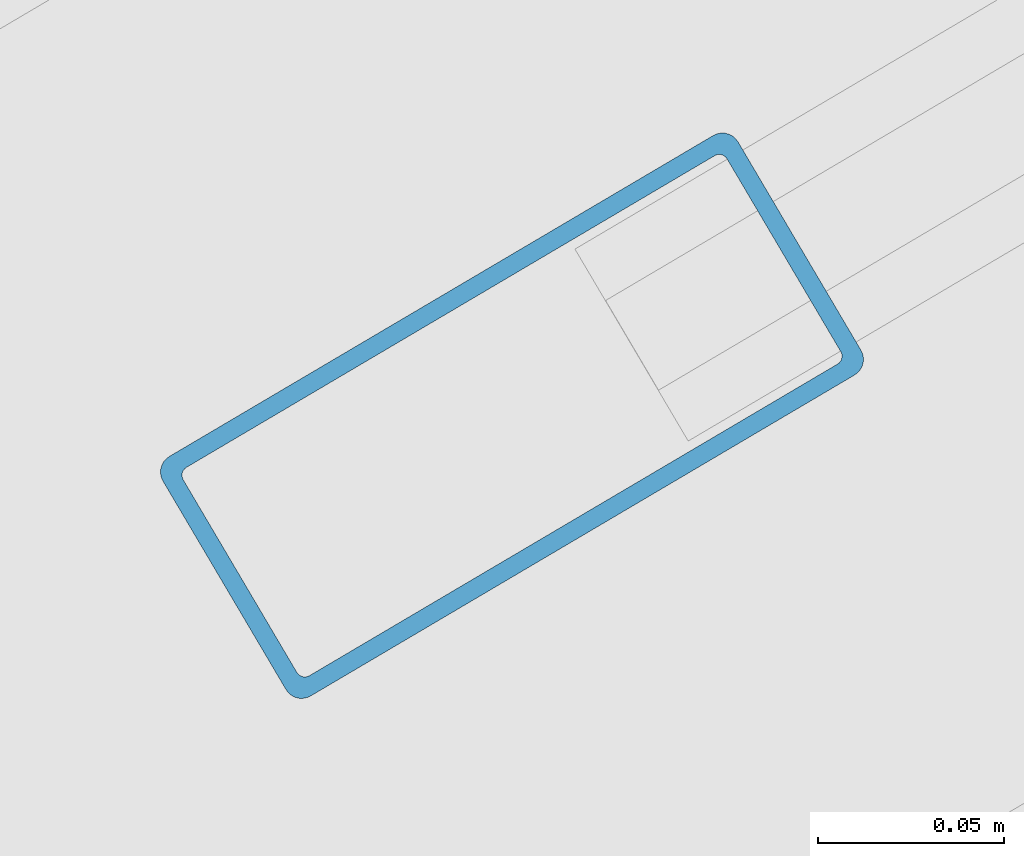
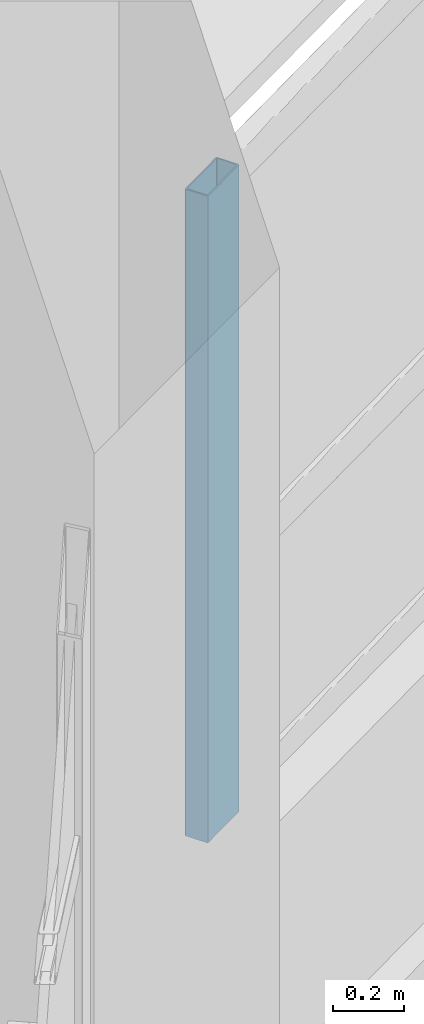
# One storey, part 63 of 121: 1 member, 1 element without a shape of its own.
"""IFC4 building model written with IfcOpenShell, lengths in metres."""

from ifc_helpers import new_model, si_unit, direction, frame, origin, origin_2d, place, context, subcontext, project, spatial, hollow_rectangle, extrude, material, layer, layer_set, material_profile, profile_set, type_object, element, aggregate, save


model = new_model("IFC4")

# Units and contexts
model_context = context("Model", 3, precision=1e-05, world=origin(), true_north=direction((0.0, 1.0)))
body_context = subcontext(model_context, "Body", "Model", "MODEL_VIEW")
ifc_project = project(units=[si_unit("LENGTHUNIT", "METRE"), si_unit("AREAUNIT", "SQUARE_METRE"), si_unit("VOLUMEUNIT", "CUBIC_METRE"), si_unit("PLANEANGLEUNIT", "RADIAN"), si_unit("MASSUNIT", "GRAM", prefix="KILO")], contexts=[model_context])

# Site, building, storey
site_placement = place(None, origin())
site = spatial("IfcSite", under=ifc_project, at=site_placement, CompositionType="ELEMENT")
building_placement = place(site_placement, origin())
building = spatial("IfcBuilding", under=site, at=building_placement, Name="Vespera Passage Community Centre", CompositionType="ELEMENT")
storey_placement = place(building_placement, frame((0.0, 0.0, 8.699951171875)))
storey = spatial("IfcBuildingStorey", under=building, at=storey_placement, Name="L02", CompositionType="ELEMENT", Elevation=8.699951171875)

# Curtain wall, member
ifc_material_1 = material(Name="Anodized aluminium 6063-T6", Category="aluminium")
ifc_layer = layer(ifc_material_1, 0.159912109375)
ifc_layer_set = layer_set([ifc_layer], Name="Anodized aluminium 6063-T6")
curtain_wall_type = type_object("IfcCurtainWallType", Name="CW-99E", PredefinedType="NOTDEFINED", material=ifc_layer_set)
curtain_wall_placement = place(storey_placement, origin())
curtain_wall = element("IfcCurtainWall", 1, at=curtain_wall_placement, inside=storey, type_object=curtain_wall_type, Name="Sports Drum Ribbon Curtain Wall L02.6", PredefinedType="NOTDEFINED")
ifc_material_2 = material(Name="Anodized aluminium 6063-T6", Category="aluminium")
ifc_material_profile = material_profile(ifc_material_2, hollow_rectangle(XDim=0.074951171875, YDim=0.179931640625, WallThickness=0.0048828125, InnerFilletRadius=0.00244140625, OuterFilletRadius=0.0048828125, at=origin_2d()), Name="ALU180X75X5")
ifc_profile_set = profile_set([ifc_material_profile], Name="Anodized aluminium 6063-T6")
member_type = type_object("IfcMemberType", Name="MB-CWM-180E", PredefinedType="MULLION", material=ifc_profile_set)
member_placement = place(storey_placement, frame((131.426025390625, 100.482666015625, 0.85009765625), z_axis=(0.0, 0.0, 1.0), x_axis=(-0.50817007737, 0.861256740157, 0.0)))
member = element("IfcMember", 2, at=member_placement, type_object=member_type, Name="CW-99E mullion 1", PredefinedType="MULLION", context=body_context, shape_type="SweptSolid", body=[
    extrude(hollow_rectangle(XDim=0.074951171875, YDim=0.179931640625, WallThickness=0.0048828125, InnerFilletRadius=0.00244140625, OuterFilletRadius=0.0048828125, at=origin_2d()), origin(), (0.0, 0.0, 1.0), 2.21484375),
])
aggregate(curtain_wall, [member])

save(model, "model.ifc")
